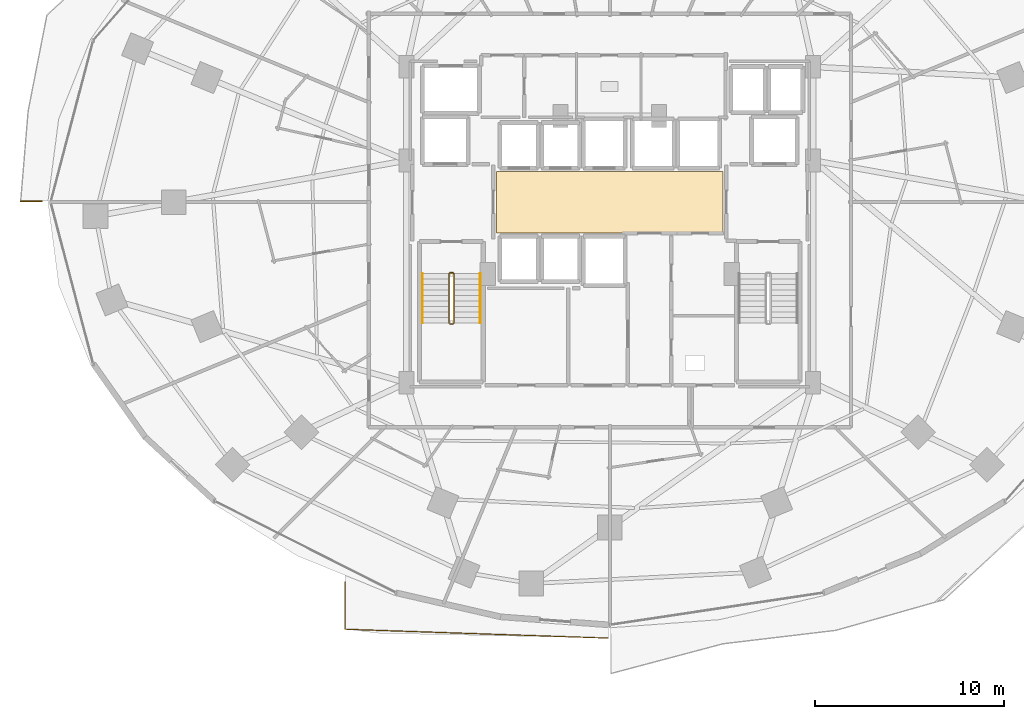
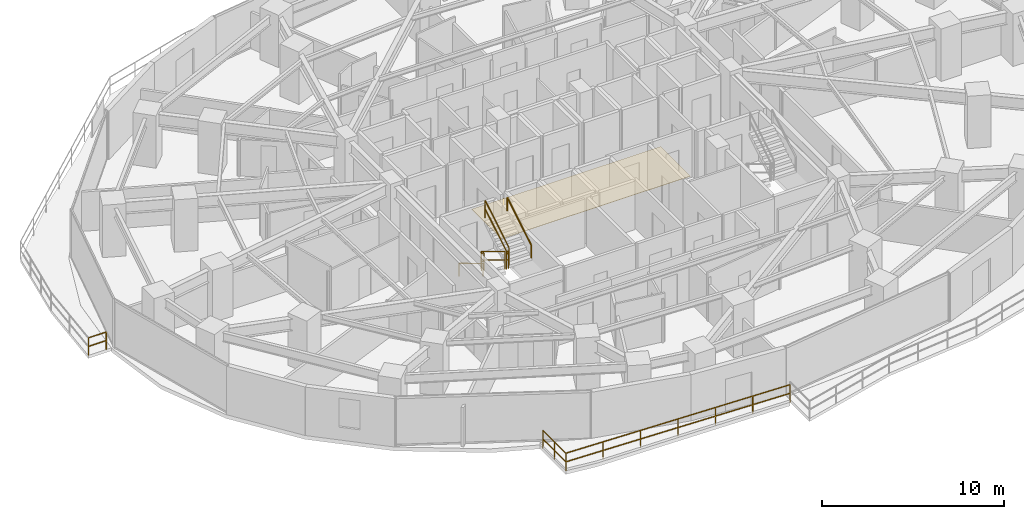
# One storey, part 33 of 36: 8 railings, 1 covering.
"""IFC4 building model written with IfcOpenShell, lengths in metres."""

from ifc_helpers import new_model, si_unit, direction, frame, origin, origin_2d, place, context, subcontext, project, spatial, polyline, rectangle, outline, extrude, material, layer, layer_set, type_object, element, save


model = new_model("IFC4")

# Units and contexts
model_context = context("Model", 3, precision=1e-05, world=origin(), true_north=direction((0.0, 1.0)))
body_context = subcontext(model_context, "Body", "Model", "MODEL_VIEW")
ifc_project = project(units=[si_unit("LENGTHUNIT", "METRE"), si_unit("AREAUNIT", "SQUARE_METRE"), si_unit("VOLUMEUNIT", "CUBIC_METRE"), si_unit("PLANEANGLEUNIT", "RADIAN"), si_unit("MASSUNIT", "GRAM", prefix="KILO")], contexts=[model_context])

# Site, building, storey
site_placement = place(None, origin())
site = spatial("IfcSite", under=ifc_project, at=site_placement, CompositionType="ELEMENT")
building_placement = place(site_placement, origin())
building = spatial("IfcBuilding", under=site, at=building_placement, Name="Vorneva Point Tower", CompositionType="ELEMENT")
storey_placement = place(building_placement, frame((0.0, 0.0, 24.0)))
storey = spatial("IfcBuildingStorey", under=building, at=storey_placement, Name="L05", CompositionType="ELEMENT", Elevation=24.0)

# Covering
ifc_material_1 = material(Name="Acoustic wool hospitality carpet", Category="textile")
ifc_layer = layer(ifc_material_1, 0.01806640625)
ifc_layer_set = layer_set([ifc_layer], Name="Acoustic wool hospitality carpet")
covering_type = type_object("IfcCoveringType", Name="COV-FLR-CRP", PredefinedType="FLOORING", material=ifc_layer_set)
covering_placement = place(storey_placement, frame((0.0, 0.0, -0.0048828125)))
element("IfcCovering", 1, at=covering_placement, inside=storey, type_object=covering_type, Name="L05 Lift Lobby Floor Finish", PredefinedType="FLOORING", context=body_context, shape_type="SweptSolid", body=[
    extrude(outline(polyline([(32.02001953125, 24.3701171875), (43.97998046875, 24.3701171875), (43.97998046875, 27.6298828125), (32.02001953125, 27.6298828125), (32.02001953125, 24.3701171875)])), origin(), (0.0, 0.0, 1.0), 0.02294921875),
])

# Railings
ifc_material_2 = material(Name="Pale anodised aluminium", Category="aluminium")
railing_type_1 = type_object("IfcRailingType", Name="RL-BAL-1200", PredefinedType="BALUSTRADE", material=ifc_material_2)
railing_1_placement = place(storey_placement, frame((6.84912109375, 26.050048828125, 0.0)))
element("IfcRailing", 2, at=railing_1_placement, inside=storey, type_object=railing_type_1, Name="L05 Wave Balcony Balustrade NW.1", PredefinedType="BALUSTRADE", context=body_context, shape_type="SweptSolid", body=[
    extrude(rectangle(XDim=0.048095703125, YDim=0.048095703125, at=origin_2d()), frame((0.0, 0.0, 1.17578125), z_axis=(1.0, 0.0, 0.0), x_axis=(0.0, 1.0, 0.0)), (0.0, 0.0, 1.0), 1.134765625),
    extrude(rectangle(XDim=0.048095703125, YDim=0.048095703125, at=origin_2d()), frame((0.0, 0.0, 0.60009765625), z_axis=(1.0, 0.0, 0.0), x_axis=(0.0, 1.0, 0.0)), (0.0, 0.0, 1.0), 1.134765625),
    extrude(rectangle(XDim=0.0419921875, YDim=0.0419921875, at=origin_2d()), origin(), (0.0, 0.0, 1.0), 1.15185546875),
    extrude(rectangle(XDim=0.0419921875, YDim=0.0419921875, at=origin_2d()), frame((1.134765625, 0.0, 0.0)), (0.0, 0.0, 1.0), 1.15185546875),
])
railing_2_placement = place(storey_placement, frame((24.0, 5.93408203125, 0.0)))
element("IfcRailing", 3, at=railing_2_placement, inside=storey, type_object=railing_type_1, Name="L05 Podium Terrace Balustrade 2", PredefinedType="BALUSTRADE", context=body_context, shape_type="SweptSolid", body=[
    extrude(rectangle(XDim=0.048095703125, YDim=0.048095703125, at=origin_2d()), frame((0.0, 0.0, 1.17578125), z_axis=(0.0, -1.0, 0.0), x_axis=(1.0, 0.0, 0.0)), (0.0, 0.0, 1.0), 2.510986328125),
    extrude(rectangle(XDim=0.048095703125, YDim=0.048095703125, at=origin_2d()), frame((0.0, 0.0, 0.60009765625), z_axis=(0.0, -1.0, 0.0), x_axis=(1.0, 0.0, 0.0)), (0.0, 0.0, 1.0), 2.510986328125),
    extrude(rectangle(XDim=0.048095703125, YDim=0.048095703125, at=origin_2d()), frame((0.0, -2.510986328125, 1.17578125), z_axis=(0.999429352296, -0.033778244035, 0.0), x_axis=(0.033778244035, 0.999429352296, 0.0)), (0.0, 0.0, 1.0), 13.927978515625),
    extrude(rectangle(XDim=0.048095703125, YDim=0.048095703125, at=origin_2d()), frame((0.0, -2.510986328125, 0.60009765625), z_axis=(0.999429352296, -0.033778244035, 0.0), x_axis=(0.033778244035, 0.999429352296, 0.0)), (0.0, 0.0, 1.0), 13.927978515625),
    extrude(rectangle(XDim=0.0419921875, YDim=0.0419921875, at=origin_2d()), origin(), (0.0, 0.0, 1.0), 1.15185546875),
    extrude(rectangle(XDim=0.0419921875, YDim=0.0419921875, at=origin_2d()), frame((0.0, -1.25537109375, 0.0)), (0.0, 0.0, 1.0), 1.15185546875),
    extrude(rectangle(XDim=0.0419921875, YDim=0.0419921875, at=origin_2d()), frame((0.0, -2.510986328125, 0.0)), (0.0, 0.0, 1.0), 1.15185546875),
    extrude(rectangle(XDim=0.0419921875, YDim=0.0419921875, at=origin_2d()), frame((2.320068359375, -2.58935546875, 0.0)), (0.0, 0.0, 1.0), 1.15185546875),
    extrude(rectangle(XDim=0.0419921875, YDim=0.0419921875, at=origin_2d()), frame((4.639892578125, -2.667724609375, 0.0)), (0.0, 0.0, 1.0), 1.15185546875),
    extrude(rectangle(XDim=0.0419921875, YDim=0.0419921875, at=origin_2d()), frame((6.9599609375, -2.74609375, 0.0)), (0.0, 0.0, 1.0), 1.15185546875),
    extrude(rectangle(XDim=0.0419921875, YDim=0.0419921875, at=origin_2d()), frame((9.280029296875, -2.82470703125, 0.0)), (0.0, 0.0, 1.0), 1.15185546875),
    extrude(rectangle(XDim=0.0419921875, YDim=0.0419921875, at=origin_2d()), frame((11.599853515625, -2.903076171875, 0.0)), (0.0, 0.0, 1.0), 1.15185546875),
    extrude(rectangle(XDim=0.0419921875, YDim=0.0419921875, at=origin_2d()), frame((13.919921875, -2.9814453125, 0.0)), (0.0, 0.0, 1.0), 1.15185546875),
])
ifc_material_3 = material(Name="Brushed stainless steel S304", Category="steel")
railing_type_2 = type_object("IfcRailingType", Name="RL-HND-920", PredefinedType="HANDRAIL", material=ifc_material_3)
railing_3_placement = place(storey_placement, frame((28.10009765625, 22.219970703125, 0.175048828125)))
element("IfcRailing", 4, at=railing_3_placement, inside=storey, type_object=railing_type_2, Name="L05 ST1 stair handrail 1", PredefinedType="HANDRAIL", context=body_context, shape_type="SweptSolid", body=[
    extrude(rectangle(XDim=0.048095703125, YDim=0.048095703125, at=origin_2d()), frame((0.0, 0.0, 0.8759765625), z_axis=(0.0, -0.85618277418, 0.516673066065), x_axis=(1.0, 0.0, 0.0)), (0.0, 0.0, 1.0), 3.04833984375),
    extrude(rectangle(XDim=0.0419921875, YDim=0.0419921875, at=origin_2d()), origin(), (0.0, 0.0, 1.0), 0.851806640625),
    extrude(rectangle(XDim=0.0419921875, YDim=0.0419921875, at=origin_2d()), frame((0.0, -2.60986328125, 1.574951171875)), (0.0, 0.0, 1.0), 0.851806640625),
])
railing_4_placement = place(storey_placement, frame((31.14990234375, 19.610107421875, 1.925048828125)))
element("IfcRailing", 5, at=railing_4_placement, inside=storey, type_object=railing_type_2, Name="L05 ST1 stair handrail 2", PredefinedType="HANDRAIL", context=body_context, shape_type="SweptSolid", body=[
    extrude(rectangle(XDim=0.048095703125, YDim=0.048095703125, at=origin_2d()), frame((0.0, 0.0, 0.8759765625), z_axis=(0.0, 0.85618277418, 0.516673066065), x_axis=(-1.0, 0.0, 0.0)), (0.0, 0.0, 1.0), 3.04833984375),
    extrude(rectangle(XDim=0.0419921875, YDim=0.0419921875, at=origin_2d()), origin(), (0.0, 0.0, 1.0), 0.851806640625),
    extrude(rectangle(XDim=0.0419921875, YDim=0.0419921875, at=origin_2d()), frame((0.0, 2.60986328125, 1.574951171875)), (0.0, 0.0, 1.0), 0.851806640625),
])
railing_type_3 = type_object("IfcRailingType", Name="RL-STG-1100", PredefinedType="GUARDRAIL", material=ifc_material_3)
railing_5_placement = place(storey_placement, frame((29.5, 22.219970703125, 0.175048828125)))
element("IfcRailing", 6, at=railing_5_placement, inside=storey, type_object=railing_type_3, Name="L05 ST1 stair guard 1", PredefinedType="GUARDRAIL", context=body_context, shape_type="SweptSolid", body=[
    extrude(rectangle(XDim=0.048095703125, YDim=0.048095703125, at=origin_2d()), frame((0.0, 0.0, 1.17578125), z_axis=(0.0, -0.85618277418, 0.516673066065), x_axis=(1.0, 0.0, 0.0)), (0.0, 0.0, 1.0), 3.04833984375),
    extrude(rectangle(XDim=0.048095703125, YDim=0.048095703125, at=origin_2d()), frame((0.0, 0.0, 0.60009765625), z_axis=(0.0, -0.85618277418, 0.516673066065), x_axis=(1.0, 0.0, 0.0)), (0.0, 0.0, 1.0), 3.04833984375),
    extrude(rectangle(XDim=0.0419921875, YDim=0.0419921875, at=origin_2d()), origin(), (0.0, 0.0, 1.0), 1.15185546875),
    extrude(rectangle(XDim=0.0419921875, YDim=0.0419921875, at=origin_2d()), frame((0.0, -2.60986328125, 1.574951171875)), (0.0, 0.0, 1.0), 1.15185546875),
])
railing_6_placement = place(storey_placement, frame((29.550048828125, 19.56005859375, 1.75)))
element("IfcRailing", 7, at=railing_6_placement, inside=storey, type_object=railing_type_3, Name="L05 ST1 stair guard 2", PredefinedType="GUARDRAIL", context=body_context, shape_type="SweptSolid", body=[
    extrude(rectangle(XDim=0.048095703125, YDim=0.048095703125, at=origin_2d()), frame((0.0, 0.0, 1.17578125), z_axis=(1.0, 0.0, 0.0), x_axis=(0.0, 1.0, 0.0)), (0.0, 0.0, 1.0), 0.14990234375),
    extrude(rectangle(XDim=0.048095703125, YDim=0.048095703125, at=origin_2d()), frame((0.0, 0.0, 0.60009765625), z_axis=(1.0, 0.0, 0.0), x_axis=(0.0, 1.0, 0.0)), (0.0, 0.0, 1.0), 0.14990234375),
    extrude(rectangle(XDim=0.0419921875, YDim=0.0419921875, at=origin_2d()), origin(), (0.0, 0.0, 1.0), 1.15185546875),
    extrude(rectangle(XDim=0.0419921875, YDim=0.0419921875, at=origin_2d()), frame((0.14990234375, 0.0, 0.0)), (0.0, 0.0, 1.0), 1.15185546875),
])
railing_7_placement = place(storey_placement, frame((29.75, 19.610107421875, 1.925048828125)))
element("IfcRailing", 8, at=railing_7_placement, inside=storey, type_object=railing_type_3, Name="L05 ST1 stair guard 3", PredefinedType="GUARDRAIL", context=body_context, shape_type="SweptSolid", body=[
    extrude(rectangle(XDim=0.048095703125, YDim=0.048095703125, at=origin_2d()), frame((0.0, 0.0, 1.17578125), z_axis=(0.0, 0.85618277418, 0.516673066065), x_axis=(-1.0, 0.0, 0.0)), (0.0, 0.0, 1.0), 3.04833984375),
    extrude(rectangle(XDim=0.048095703125, YDim=0.048095703125, at=origin_2d()), frame((0.0, 0.0, 0.60009765625), z_axis=(0.0, 0.85618277418, 0.516673066065), x_axis=(-1.0, 0.0, 0.0)), (0.0, 0.0, 1.0), 3.04833984375),
    extrude(rectangle(XDim=0.0419921875, YDim=0.0419921875, at=origin_2d()), origin(), (0.0, 0.0, 1.0), 1.15185546875),
    extrude(rectangle(XDim=0.0419921875, YDim=0.0419921875, at=origin_2d()), frame((0.0, 2.60986328125, 1.574951171875)), (0.0, 0.0, 1.0), 1.15185546875),
])
railing_8_placement = place(storey_placement, frame((29.550048828125, 22.27001953125, 0.0)))
element("IfcRailing", 9, at=railing_8_placement, inside=storey, type_object=railing_type_3, Name="L05 ST1 stair guard 4", PredefinedType="GUARDRAIL", context=body_context, shape_type="SweptSolid", body=[
    extrude(rectangle(XDim=0.048095703125, YDim=0.048095703125, at=origin_2d()), frame((0.0, 0.0, 1.17578125), z_axis=(1.0, 0.0, 0.0), x_axis=(0.0, 1.0, 0.0)), (0.0, 0.0, 1.0), 0.14990234375),
    extrude(rectangle(XDim=0.048095703125, YDim=0.048095703125, at=origin_2d()), frame((0.0, 0.0, 0.60009765625), z_axis=(1.0, 0.0, 0.0), x_axis=(0.0, 1.0, 0.0)), (0.0, 0.0, 1.0), 0.14990234375),
    extrude(rectangle(XDim=0.0419921875, YDim=0.0419921875, at=origin_2d()), origin(), (0.0, 0.0, 1.0), 1.15185546875),
    extrude(rectangle(XDim=0.0419921875, YDim=0.0419921875, at=origin_2d()), frame((0.14990234375, 0.0, 0.0)), (0.0, 0.0, 1.0), 1.15185546875),
])

save(model, "model.ifc")
